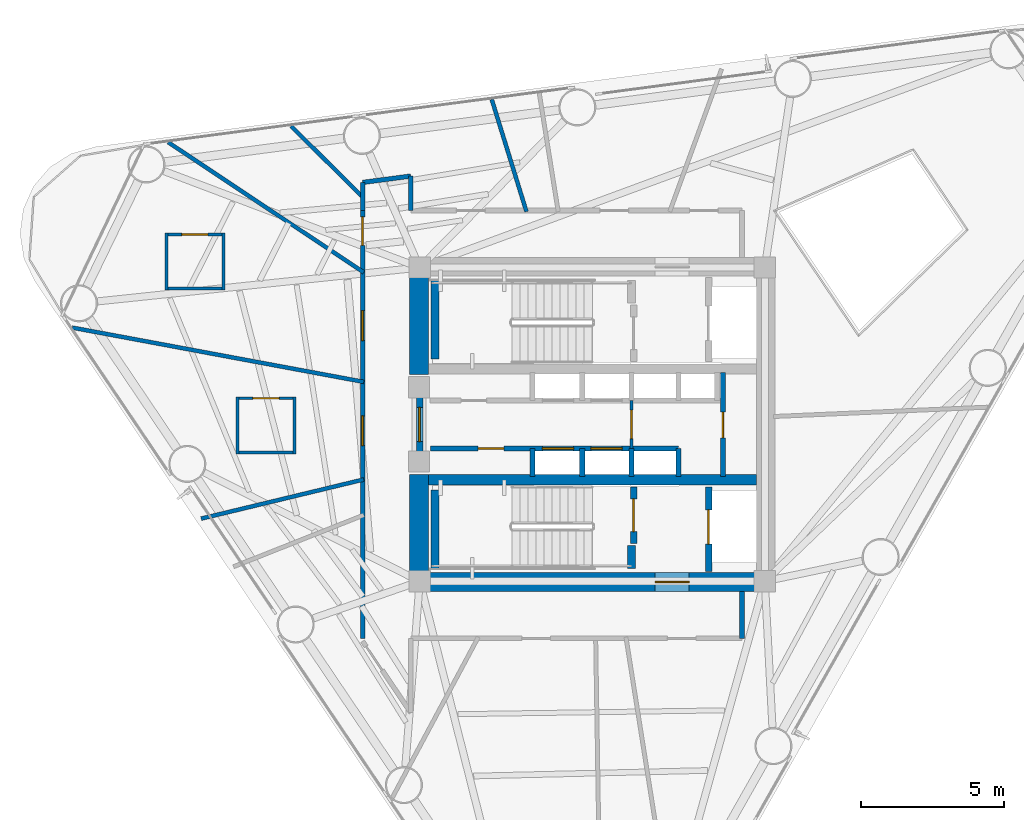
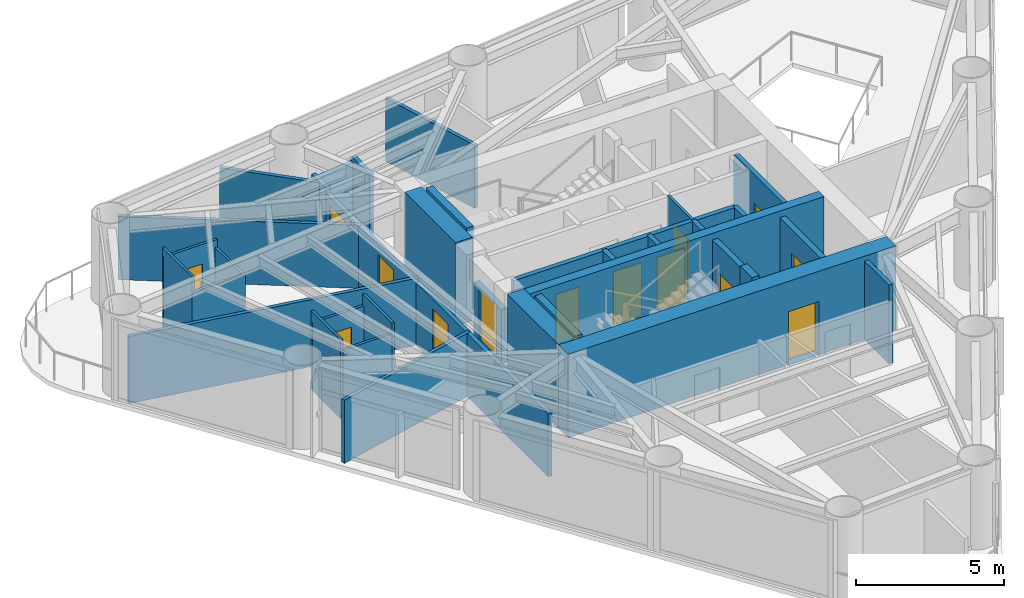
# One storey, part 5 of 9: 35 walls, 14 doors, 14 openings.
"""IFC4 building model written with IfcOpenShell, lengths in metres."""

from ifc_helpers import new_model, si_unit, direction, frame, frame_2d, origin, place, context, subcontext, project, spatial, rectangle, extrude, material, layer, layer_set, type_object, element, fill, save


model = new_model("IFC4")

# Units and contexts
model_context = context("Model", 3, precision=1e-05, world=origin(), true_north=direction((0.0, 1.0)))
body_context = subcontext(model_context, "Body", "Model", "MODEL_VIEW")
ifc_project = project(units=[si_unit("LENGTHUNIT", "METRE"), si_unit("AREAUNIT", "SQUARE_METRE"), si_unit("VOLUMEUNIT", "CUBIC_METRE"), si_unit("PLANEANGLEUNIT", "RADIAN"), si_unit("MASSUNIT", "GRAM", prefix="KILO")], contexts=[model_context])

# Site, building, storey
site_placement = place(None, origin())
site = spatial("IfcSite", under=ifc_project, at=site_placement, CompositionType="ELEMENT")
building_placement = place(site_placement, origin())
building = spatial("IfcBuilding", under=site, at=building_placement, Name="Yunling Apex Tower", CompositionType="ELEMENT")
storey_placement = place(building_placement, frame((0.0, 0.0, 162.199951171875)))
storey = spatial("IfcBuildingStorey", under=building, at=storey_placement, Name="L39", CompositionType="ELEMENT", Elevation=162.199951171875)

# Wall, opening, door
ifc_material_1 = material(Name="Concrete C50", Category="concrete")
ifc_layer_1 = layer(ifc_material_1, 0.64990234375)
ifc_layer_set_1 = layer_set([ifc_layer_1], Name="Concrete C50")
wall_type_1 = type_object("IfcWallType", Name="WL-COR-2", PredefinedType="SHEAR", material=ifc_layer_set_1)
wall_1_placement = place(storey_placement, frame((-6.39990234375, -5.52490234375, 0.0), z_axis=(0.0, 0.0, 1.0), x_axis=(1.0, 0.0, 0.0)))
wall_1 = element("IfcWall", 1, at=wall_1_placement, inside=storey, type_object=wall_type_1, Name="L39 South Core Shear Wall", PredefinedType="SHEAR", context=body_context, shape_type="SweptSolid", body=[
    extrude(rectangle(XDim=12.7998046875, YDim=0.64990234375, at=frame_2d((6.39990234375, 0.0))), origin(), (0.0, 0.0, 1.0), 3.449951171875),
])
opening_1_placement = place(wall_1_placement, frame((8.60009765625, 0.0, 0.0)))
opening_1 = element("IfcOpeningElement", 2, at=opening_1_placement, cuts=wall_1, Name="Opening DR-FFL-1", PredefinedType="OPENING", context=body_context, shape_type="SweptSolid", body=[
    extrude(rectangle(XDim=1.199951171875, YDim=2.199951171875, at=frame_2d((0.60009765625, 1.10009765625))), frame((0.0, 0.3349609375, 0.0), z_axis=(0.0, -1.0, 0.0), x_axis=(1.0, 0.0, 0.0)), (0.0, 0.0, 1.0), 0.669921875),
])
ifc_material_2 = material(Name="Steel Q355B", Category="steel")
door_type_1 = type_object("IfcDoorType", Name="DR-FFL-1", OperationType="NOTDEFINED", PredefinedType="DOOR", material=ifc_material_2)
door_1_placement = place(opening_1_placement, origin())
door_1 = element("IfcDoor", 3, at=door_1_placement, inside=storey, type_object=door_type_1, Name="L39 South Firefighting Lobby Door", OperationType="SINGLE_SWING_RIGHT", OverallHeight=2.199951171875, OverallWidth=1.199951171875, PredefinedType="DOOR", context=body_context, shape_type="SweptSolid", body=[
    extrude(rectangle(XDim=1.199951171875, YDim=2.199951171875, at=frame_2d((0.60009765625, 1.10009765625))), frame((0.0, 0.02490234375, 0.0), z_axis=(0.0, -1.0, 0.0), x_axis=(1.0, 0.0, 0.0)), (0.0, 0.0, 1.0), 0.050048828125),
])
fill(opening_1, door_1)

# Walls
for number, where, z_axis, x_axis, name in (
    (4, (-6.074951171875, -5.199951171875, 0.0), (0.0, 0.0, 1.0), (0.0, 1.0, 0.0), "L39 West-South Core Shear Wall"),
    (5, (-6.074951171875, 1.75, 0.0), (0.0, 0.0, 1.0), (0.0, 1.0, 0.0), "L39 West-North Core Shear Wall"),
):
    element("IfcWall", number, at=place(storey_placement, frame(where, z_axis=z_axis, x_axis=x_axis)), inside=storey, type_object=wall_type_1, Name=name, PredefinedType="SHEAR", context=body_context, shape_type="SweptSolid", body=[
        extrude(rectangle(XDim=3.449951171875, YDim=0.64990234375, at=frame_2d((1.72509765625, 0.0))), origin(), (0.0, 0.0, 1.0), 3.449951171875),
    ])
ifc_material_3 = material(Name="Concrete C40", Category="concrete")
ifc_layer_2 = layer(ifc_material_3, 0.360107421875)
ifc_layer_set_2 = layer_set([ifc_layer_2], Name="Concrete C40")
wall_type_2 = type_object("IfcWallType", Name="WL-COR-4", PredefinedType="SHEAR", material=ifc_layer_set_2)
wall_2_placement = place(storey_placement, frame((-5.75, -1.93994140625, 0.0), z_axis=(0.0, 0.0, 1.0), x_axis=(1.0, 0.0, 0.0)))
element("IfcWall", 6, at=wall_2_placement, inside=storey, type_object=wall_type_2, Name="L39 South Internal Core Shear Wall", PredefinedType="SHEAR", context=body_context, shape_type="SweptSolid", body=[
    extrude(rectangle(XDim=11.5, YDim=0.360107421875, at=frame_2d((5.75, 0.0))), origin(), (0.0, 0.0, 1.0), 3.449951171875),
])
ifc_layer_3 = layer(ifc_material_3, 0.280029296875)
ifc_layer_set_3 = layer_set([ifc_layer_3], Name="Concrete C40")
wall_type_3 = type_object("IfcWallType", Name="WL-COR-8", PredefinedType="SHEAR", material=ifc_layer_set_3)
for number, where, z_axis, x_axis, name in (
    (7, (-5.52001953125, 2.300048828125, 0.0), (0.0, 0.0, 1.0), (0.0, 1.0, 0.0), "L39 ST-1 West Landing Bearing Wall"),
    (8, (-5.52001953125, -5.050048828125, 0.0), (0.0, 0.0, 1.0), (0.0, 1.0, 0.0), "L39 ST-2 West Landing Bearing Wall"),
):
    element("IfcWall", number, at=place(storey_placement, frame(where, z_axis=z_axis, x_axis=x_axis)), inside=storey, type_object=wall_type_3, Name=name, PredefinedType="SHEAR", context=body_context, shape_type="SweptSolid", body=[
        extrude(rectangle(XDim=2.75, YDim=0.280029296875, at=frame_2d((1.375, 0.0))), origin(), (0.0, 0.0, 1.0), 3.449951171875),
    ])
wall_3_placement = place(storey_placement, frame((1.3798828125, -5.050048828125, 0.0), z_axis=(0.0, 0.0, 1.0), x_axis=(0.0, 1.0, 0.0)))
element("IfcWall", 9, at=wall_3_placement, inside=storey, type_object=wall_type_3, Name="L39 ST-2 East Landing Bearing Pier", PredefinedType="SHEAR", context=body_context, shape_type="SweptSolid", body=[
    extrude(rectangle(XDim=0.800048828125, YDim=0.280029296875, at=frame_2d((0.39990234375, 0.0))), origin(), (0.0, 0.0, 1.0), 3.449951171875),
])

# Wall, openings, doors
ifc_material_4 = material(Name="Gypsum board acoustic partition")
ifc_layer_4 = layer(ifc_material_4, 0.159912109375)
ifc_layer_set_4 = layer_set([ifc_layer_4], Name="Gypsum board acoustic partition")
wall_type_4 = type_object("IfcWallType", Name="WL-PRT-1", PredefinedType="PARTITIONING", material=ifc_layer_set_4)
wall_4_placement = place(storey_placement, frame((-8.050048828125, -7.5, 0.0), z_axis=(0.0, 0.0, 1.0), x_axis=(0.0, 1.0, 0.0)))
wall_4 = element("IfcWall", 10, at=wall_4_placement, inside=storey, type_object=wall_type_4, Name="WL-CORR-L39-02", PredefinedType="PARTITIONING", context=body_context, shape_type="SweptSolid", body=[
    extrude(rectangle(XDim=15.0, YDim=0.159912109375, at=frame_2d((7.5, 0.0))), origin(), (0.0, 0.0, 1.0), 2.60498046875),
])
opening_2_placement = place(wall_4_placement, frame((6.7529296875, 0.0, 0.0)))
opening_2 = element("IfcOpeningElement", 11, at=opening_2_placement, cuts=wall_4, Name="Opening DR-FL-1", PredefinedType="OPENING", context=body_context, shape_type="SweptSolid", body=[
    extrude(rectangle(XDim=1.050048828125, YDim=2.199951171875, at=frame_2d((0.52490234375, 1.10009765625))), frame((0.0, 0.08984375, 0.0), z_axis=(0.0, -1.0, 0.0), x_axis=(1.0, 0.0, 0.0)), (0.0, 0.0, 1.0), 0.179931640625),
])
opening_3_placement = place(wall_4_placement, frame((10.436279296875, 0.0, 0.0)))
opening_3 = element("IfcOpeningElement", 12, at=opening_3_placement, cuts=wall_4, Name="Opening DR-FL-1", PredefinedType="OPENING", context=body_context, shape_type="SweptSolid", body=[
    extrude(rectangle(XDim=1.050048828125, YDim=2.199951171875, at=frame_2d((0.52490234375, 1.10009765625))), frame((0.0, 0.08984375, 0.0), z_axis=(0.0, -1.0, 0.0), x_axis=(1.0, 0.0, 0.0)), (0.0, 0.0, 1.0), 0.179931640625),
])
opening_4_placement = place(wall_4_placement, frame((13.780029296875, 0.0, 0.0)))
opening_4 = element("IfcOpeningElement", 13, at=opening_4_placement, cuts=wall_4, Name="Opening DR-OFF-1", PredefinedType="OPENING", context=body_context, shape_type="SweptSolid", body=[
    extrude(rectangle(XDim=1.0, YDim=2.25, at=frame_2d((0.5, 1.125))), frame((0.0, 0.08984375, 0.0), z_axis=(0.0, -1.0, 0.0), x_axis=(1.0, 0.0, 0.0)), (0.0, 0.0, 1.0), 0.179931640625),
])
ifc_material_5 = material(Name="Timber fire-rated leaf", Category="wood")
door_type_2 = type_object("IfcDoorType", Name="DR-FL-1", OperationType="NOTDEFINED", PredefinedType="DOOR", material=ifc_material_5)
door_2_placement = place(opening_2_placement, origin())
door_2 = element("IfcDoor", 14, at=door_2_placement, inside=storey, type_object=door_type_2, Name="L39 Hotel Guest Room Door", OperationType="SINGLE_SWING_RIGHT", OverallHeight=2.199951171875, OverallWidth=1.050048828125, PredefinedType="DOOR", context=body_context, shape_type="SweptSolid", body=[
    extrude(rectangle(XDim=1.050048828125, YDim=2.199951171875, at=frame_2d((0.52490234375, 1.10009765625))), frame((0.0, 0.02490234375, 0.0), z_axis=(0.0, -1.0, 0.0), x_axis=(1.0, 0.0, 0.0)), (0.0, 0.0, 1.0), 0.050048828125),
])
fill(opening_2, door_2)
door_3_placement = place(opening_3_placement, origin())
door_3 = element("IfcDoor", 15, at=door_3_placement, inside=storey, type_object=door_type_2, Name="L39 Hotel Suite Door", OperationType="SINGLE_SWING_LEFT", OverallHeight=2.199951171875, OverallWidth=1.050048828125, PredefinedType="DOOR", context=body_context, shape_type="SweptSolid", body=[
    extrude(rectangle(XDim=1.050048828125, YDim=2.199951171875, at=frame_2d((0.52490234375, 1.10009765625))), frame((0.0, 0.02490234375, 0.0), z_axis=(0.0, -1.0, 0.0), x_axis=(1.0, 0.0, 0.0)), (0.0, 0.0, 1.0), 0.050048828125),
])
fill(opening_3, door_3)
ifc_material_6 = material(Name="Bronze anodised aluminium", Category="aluminium")
door_type_3 = type_object("IfcDoorType", Name="DR-OFF-1", OperationType="NOTDEFINED", PredefinedType="DOOR", material=ifc_material_6)
door_4_placement = place(opening_4_placement, origin())
door_4 = element("IfcDoor", 16, at=door_4_placement, inside=storey, type_object=door_type_3, Name="L39 Club Lounge Door", OperationType="SINGLE_SWING_RIGHT", OverallHeight=2.25, OverallWidth=1.0, PredefinedType="DOOR", context=body_context, shape_type="SweptSolid", body=[
    extrude(rectangle(XDim=1.0, YDim=2.25, at=frame_2d((0.5, 1.125))), frame((0.0, 0.02490234375, 0.0), z_axis=(0.0, -1.0, 0.0), x_axis=(1.0, 0.0, 0.0)), (0.0, 0.0, 1.0), 0.050048828125),
])
fill(opening_4, door_4)

# Walls
wall_5_placement = place(storey_placement, frame((-8.050048828125, 7.5, 0.0), z_axis=(0.0, 0.0, 1.0), x_axis=(0.0, 1.0, 0.0)))
element("IfcWall", 17, at=wall_5_placement, inside=storey, type_object=wall_type_4, Name="WL-CORR-L39-03", PredefinedType="PARTITIONING", context=body_context, shape_type="SweptSolid", body=[
    extrude(rectangle(XDim=0.983642578125, YDim=0.159912109375, at=frame_2d((0.49169921875, 0.0))), origin(), (0.0, 0.0, 1.0), 2.804931640625),
])
wall_6_placement = place(storey_placement, frame((-8.050048828125, 8.483642578125, 0.0), z_axis=(0.0, 0.0, 1.0), x_axis=(0.991338869543, 0.131328769629, 0.0)))
element("IfcWall", 18, at=wall_6_placement, inside=storey, type_object=wall_type_4, Name="WL-CORR-L39-04", PredefinedType="PARTITIONING", context=body_context, shape_type="SweptSolid", body=[
    extrude(rectangle(XDim=1.70458984375, YDim=0.159912109375, at=frame_2d((0.852294921875, 0.0))), origin(), (0.0, 0.0, 1.0), 2.60498046875),
])
wall_7_placement = place(storey_placement, frame((-6.360107421875, 8.70751953125, 0.0), z_axis=(0.0, 0.0, 1.0), x_axis=(0.0, -1.0, 0.0)))
element("IfcWall", 19, at=wall_7_placement, inside=storey, type_object=wall_type_4, Name="WL-CORR-L39-05", PredefinedType="PARTITIONING", context=body_context, shape_type="SweptSolid", body=[
    extrude(rectangle(XDim=1.20751953125, YDim=0.159912109375, at=frame_2d((0.603759765625, 0.0))), origin(), (0.0, 0.0, 1.0), 2.804931640625),
])
wall_8_placement = place(storey_placement, frame((5.25, -5.85009765625, 0.0), z_axis=(0.0, 0.0, 1.0), x_axis=(0.0, -1.0, 0.0)))
element("IfcWall", 20, at=wall_8_placement, inside=storey, type_object=wall_type_4, Name="WL-CORR-L39-08", PredefinedType="PARTITIONING", context=body_context, shape_type="SweptSolid", body=[
    extrude(rectangle(XDim=1.64990234375, YDim=0.159912109375, at=frame_2d((0.824951171875, 0.0))), origin(), (0.0, 0.0, 1.0), 3.25),
])
ifc_layer_5 = layer(ifc_material_4, 0.139892578125)
ifc_layer_set_5 = layer_set([ifc_layer_5], Name="Gypsum board acoustic partition")
wall_type_5 = type_object("IfcWallType", Name="WL-PRT-2", PredefinedType="PARTITIONING", material=ifc_layer_set_5)
wall_9_placement = place(storey_placement, frame((-2.306640625, 7.4599609375, 0.0), z_axis=(0.0, 0.0, 1.0), x_axis=(-0.295406664686, 0.955371604382, 0.0)))
element("IfcWall", 21, at=wall_9_placement, inside=storey, type_object=wall_type_5, Name="WL-RAD-L39-04", PredefinedType="PARTITIONING", context=body_context, shape_type="SweptSolid", body=[
    extrude(rectangle(XDim=4.11669921875, YDim=0.139892578125, at=frame_2d((2.058349609375, 0.0))), origin(), (0.0, 0.0, 1.0), 2.60498046875),
])
wall_10_placement = place(storey_placement, frame((-8.010009765625, 7.93408203125, 0.0), z_axis=(0.0, 0.0, 1.0), x_axis=(-0.710464129117, 0.703733416315, 0.0)))
element("IfcWall", 22, at=wall_10_placement, inside=storey, type_object=wall_type_5, Name="WL-RAD-L39-05", PredefinedType="PARTITIONING", context=body_context, shape_type="SweptSolid", body=[
    extrude(rectangle(XDim=3.591064453125, YDim=0.139892578125, at=frame_2d((1.79541015625, 0.0))), origin(), (0.0, 0.0, 1.0), 2.76513671875),
])
wall_11_placement = place(storey_placement, frame((-8.010009765625, 5.3291015625, 0.0), z_axis=(0.0, 0.0, 1.0), x_axis=(-0.832565256492, 0.553926975044, 0.0)))
element("IfcWall", 23, at=wall_11_placement, inside=storey, type_object=wall_type_5, Name="WL-RAD-L39-06", PredefinedType="PARTITIONING", context=body_context, shape_type="SweptSolid", body=[
    extrude(rectangle(XDim=8.236083984375, YDim=0.139892578125, at=frame_2d((4.1181640625, 0.0))), origin(), (0.0, 0.0, 1.0), 2.60498046875),
])
wall_12_placement = place(storey_placement, frame((-8.010009765625, 1.4912109375, 0.0), z_axis=(0.0, 0.0, 1.0), x_axis=(-0.983113838534, 0.182995028575, 0.0)))
element("IfcWall", 24, at=wall_12_placement, inside=storey, type_object=wall_type_5, Name="WL-RAD-L39-07", PredefinedType="PARTITIONING", context=body_context, shape_type="SweptSolid", body=[
    extrude(rectangle(XDim=10.394287109375, YDim=0.139892578125, at=frame_2d((5.197265625, 0.0))), origin(), (0.0, 0.0, 1.0), 2.76513671875),
])
wall_13_placement = place(storey_placement, frame((-8.010009765625, -1.9296875, 0.0), z_axis=(0.0, 0.0, 1.0), x_axis=(-0.972178712373, -0.23424037058, 0.0)))
element("IfcWall", 25, at=wall_13_placement, inside=storey, type_object=wall_type_5, Name="WL-RAD-L39-08", PredefinedType="PARTITIONING", context=body_context, shape_type="SweptSolid", body=[
    extrude(rectangle(XDim=5.86474609375, YDim=0.139892578125, at=frame_2d((2.932373046875, 0.0))), origin(), (0.0, 0.0, 1.0), 2.60498046875),
])

# Wall, opening, door
ifc_layer_6 = layer(ifc_material_4, 0.10009765625)
ifc_layer_set_6 = layer_set([ifc_layer_6], Name="Gypsum board acoustic partition")
wall_type_6 = type_object("IfcWallType", Name="WL-PRT-4", PredefinedType="PARTITIONING", material=ifc_layer_set_6)
wall_14_placement = place(storey_placement, frame((1.3798828125, -0.840087890625, 0.0), z_axis=(0.0, 0.0, 1.0), x_axis=(0.0, 1.0, 0.0)))
wall_14 = element("IfcWall", 26, at=wall_14_placement, inside=storey, type_object=wall_type_6, Name="WL-LOB-MID-L39", PredefinedType="PARTITIONING", context=body_context, shape_type="SweptSolid", body=[
    extrude(rectangle(XDim=1.68017578125, YDim=0.10009765625, at=frame_2d((0.840087890625, 0.0))), origin(), (0.0, 0.0, 1.0), 3.25),
])
opening_5_placement = place(wall_14_placement, frame((0.340087890625, 0.0, 0.0)))
opening_5 = element("IfcOpeningElement", 27, at=opening_5_placement, cuts=wall_14, Name="Opening DR-OFF-1", PredefinedType="OPENING", context=body_context, shape_type="SweptSolid", body=[
    extrude(rectangle(XDim=1.0, YDim=2.25, at=frame_2d((0.5, 1.125))), frame((0.0, 0.06005859375, 0.0), z_axis=(0.0, -1.0, 0.0), x_axis=(1.0, 0.0, 0.0)), (0.0, 0.0, 1.0), 0.1201171875),
])
door_5_placement = place(opening_5_placement, origin())
door_5 = element("IfcDoor", 28, at=door_5_placement, inside=storey, type_object=door_type_3, Name="L39 Core Lobby Link Door", OperationType="SINGLE_SWING_LEFT", OverallHeight=2.25, OverallWidth=1.0, PredefinedType="DOOR", context=body_context, shape_type="SweptSolid", body=[
    extrude(rectangle(XDim=1.0, YDim=2.25, at=frame_2d((0.5, 1.125))), frame((0.0, 0.02490234375, 0.0), z_axis=(0.0, -1.0, 0.0), x_axis=(1.0, 0.0, 0.0)), (0.0, 0.0, 1.0), 0.050048828125),
])
fill(opening_5, door_5)

wall_15_placement = place(storey_placement, frame((-14.98193359375, 6.6640625, 0.0), z_axis=(0.0, 0.0, 1.0), x_axis=(1.0, 0.0, 0.0)))
wall_15 = element("IfcWall", 29, at=wall_15_placement, inside=storey, type_object=wall_type_6, Name="WL-ENS-L39-11N", PredefinedType="PARTITIONING", context=body_context, shape_type="SweptSolid", body=[
    extrude(rectangle(XDim=2.099853515625, YDim=0.10009765625, at=frame_2d((1.0498046875, 0.0))), origin(), (0.0, 0.0, 1.0), 2.905029296875),
])
opening_6_placement = place(wall_15_placement, frame((0.590087890625, 0.0, 0.0)))
opening_6 = element("IfcOpeningElement", 30, at=opening_6_placement, cuts=wall_15, Name="Opening DR-WC-1", PredefinedType="OPENING", context=body_context, shape_type="SweptSolid", body=[
    extrude(rectangle(XDim=0.919921875, YDim=2.10009765625, at=frame_2d((0.4599609375, 1.050048828125))), frame((0.0, 0.06005859375, 0.0), z_axis=(0.0, -1.0, 0.0), x_axis=(1.0, 0.0, 0.0)), (0.0, 0.0, 1.0), 0.1201171875),
])
ifc_material_7 = material(Name="Timber moisture-resistant leaf", Category="wood")
door_type_4 = type_object("IfcDoorType", Name="DR-WC-1", OperationType="NOTDEFINED", PredefinedType="DOOR", material=ifc_material_7)
door_6_placement = place(opening_6_placement, origin())
door_6 = element("IfcDoor", 31, at=door_6_placement, inside=storey, type_object=door_type_4, Name="L39 En-Suite Door", OperationType="SINGLE_SWING_LEFT", OverallHeight=2.10009765625, OverallWidth=0.919921875, PredefinedType="DOOR", context=body_context, shape_type="SweptSolid", body=[
    extrude(rectangle(XDim=0.919921875, YDim=2.10009765625, at=frame_2d((0.4599609375, 1.050048828125))), frame((0.0, 0.02490234375, 0.0), z_axis=(0.0, -1.0, 0.0), x_axis=(1.0, 0.0, 0.0)), (0.0, 0.0, 1.0), 0.050048828125),
])
fill(opening_6, door_6)

# Walls
wall_16_placement = place(storey_placement, frame((-12.882080078125, 4.763916015625, 0.0), z_axis=(0.0, 0.0, 1.0), x_axis=(-1.0, 0.0, 0.0)))
element("IfcWall", 32, at=wall_16_placement, inside=storey, type_object=wall_type_6, Name="WL-ENS-L39-11S", PredefinedType="PARTITIONING", context=body_context, shape_type="SweptSolid", body=[
    extrude(rectangle(XDim=2.099853515625, YDim=0.10009765625, at=frame_2d((1.0498046875, 0.0))), origin(), (0.0, 0.0, 1.0), 2.60498046875),
])
wall_17_placement = place(storey_placement, frame((-12.931884765625, 6.714111328125, 0.0), z_axis=(0.0, 0.0, 1.0), x_axis=(0.0, -1.0, 0.0)))
element("IfcWall", 33, at=wall_17_placement, inside=storey, type_object=wall_type_6, Name="WL-ENS-L39-11E", PredefinedType="PARTITIONING", context=body_context, shape_type="SweptSolid", body=[
    extrude(rectangle(XDim=2.0, YDim=0.10009765625, at=frame_2d((1.0, 0.0))), origin(), (0.0, 0.0, 1.0), 2.60498046875),
])
wall_18_placement = place(storey_placement, frame((-14.931884765625, 4.714111328125, 0.0), z_axis=(0.0, 0.0, 1.0), x_axis=(0.0, 1.0, 0.0)))
element("IfcWall", 34, at=wall_18_placement, inside=storey, type_object=wall_type_6, Name="WL-ENS-L39-11W", PredefinedType="PARTITIONING", context=body_context, shape_type="SweptSolid", body=[
    extrude(rectangle(XDim=2.0, YDim=0.10009765625, at=frame_2d((1.0, 0.0))), origin(), (0.0, 0.0, 1.0), 3.25),
])

# Wall, opening, door
wall_19_placement = place(storey_placement, frame((-12.491943359375, 0.91796875, 0.0), z_axis=(0.0, 0.0, 1.0), x_axis=(1.0, 0.0, 0.0)))
wall_19 = element("IfcWall", 35, at=wall_19_placement, inside=storey, type_object=wall_type_6, Name="WL-ENS-L39-12N", PredefinedType="PARTITIONING", context=body_context, shape_type="SweptSolid", body=[
    extrude(rectangle(XDim=2.099853515625, YDim=0.10009765625, at=frame_2d((1.0498046875, 0.0))), origin(), (0.0, 0.0, 1.0), 2.804931640625),
])
opening_7_placement = place(wall_19_placement, frame((0.590087890625, 0.0, 0.0)))
opening_7 = element("IfcOpeningElement", 36, at=opening_7_placement, cuts=wall_19, Name="Opening DR-WC-1", PredefinedType="OPENING", context=body_context, shape_type="SweptSolid", body=[
    extrude(rectangle(XDim=0.919921875, YDim=2.10009765625, at=frame_2d((0.4599609375, 1.050048828125))), frame((0.0, 0.06005859375, 0.0), z_axis=(0.0, -1.0, 0.0), x_axis=(1.0, 0.0, 0.0)), (0.0, 0.0, 1.0), 0.1201171875),
])
door_7_placement = place(opening_7_placement, origin())
door_7 = element("IfcDoor", 37, at=door_7_placement, inside=storey, type_object=door_type_4, Name="L39 En-Suite Door", OperationType="SINGLE_SWING_RIGHT", OverallHeight=2.10009765625, OverallWidth=0.919921875, PredefinedType="DOOR", context=body_context, shape_type="SweptSolid", body=[
    extrude(rectangle(XDim=0.919921875, YDim=2.10009765625, at=frame_2d((0.4599609375, 1.050048828125))), frame((0.0, 0.02490234375, 0.0), z_axis=(0.0, -1.0, 0.0), x_axis=(1.0, 0.0, 0.0)), (0.0, 0.0, 1.0), 0.050048828125),
])
fill(opening_7, door_7)

# Walls
wall_20_placement = place(storey_placement, frame((-10.39208984375, -0.98193359375, 0.0), z_axis=(0.0, 0.0, 1.0), x_axis=(-1.0, 0.0, 0.0)))
element("IfcWall", 38, at=wall_20_placement, inside=storey, type_object=wall_type_6, Name="WL-ENS-L39-12S", PredefinedType="PARTITIONING", context=body_context, shape_type="SweptSolid", body=[
    extrude(rectangle(XDim=2.099853515625, YDim=0.10009765625, at=frame_2d((1.0498046875, 0.0))), origin(), (0.0, 0.0, 1.0), 2.804931640625),
])
for number, where, z_axis, x_axis, name in (
    (39, (-10.44189453125, 0.968017578125, 0.0), (0.0, 0.0, 1.0), (0.0, -1.0, 0.0), "WL-ENS-L39-12E"),
    (40, (-12.44189453125, -1.031982421875, 0.0), (0.0, 0.0, 1.0), (0.0, 1.0, 0.0), "WL-ENS-L39-12W"),
):
    element("IfcWall", number, at=place(storey_placement, frame(where, z_axis=z_axis, x_axis=x_axis)), inside=storey, type_object=wall_type_6, Name=name, PredefinedType="PARTITIONING", context=body_context, shape_type="SweptSolid", body=[
        extrude(rectangle(XDim=2.0, YDim=0.10009765625, at=frame_2d((1.0, 0.0))), origin(), (0.0, 0.0, 1.0), 3.25),
    ])

# Wall, opening, door
ifc_material_8 = material(Name="Autoclaved aerated concrete masonry", Category="masonry")
ifc_layer_7 = layer(ifc_material_8, 0.219970703125)
ifc_layer_set_7 = layer_set([ifc_layer_7], Name="Autoclaved aerated concrete masonry")
wall_type_7 = type_object("IfcWallType", Name="WL-SHF-1", PredefinedType="PLUMBINGWALL", material=ifc_layer_set_7)
wall_21_placement = place(storey_placement, frame((-6.050048828125, -0.949951171875, 0.0), z_axis=(0.0, 0.0, 1.0), x_axis=(0.0, 1.0, 0.0)))
wall_21 = element("IfcWall", 41, at=wall_21_placement, inside=storey, type_object=wall_type_7, Name="WL-COR-WPORT-L39", PredefinedType="PLUMBINGWALL", context=body_context, shape_type="SweptSolid", body=[
    extrude(rectangle(XDim=1.89990234375, YDim=0.219970703125, at=frame_2d((0.949951171875, 0.0))), origin(), (0.0, 0.0, 1.0), 2.22998046875),
])
opening_8_placement = place(wall_21_placement, frame((0.35009765625, 0.0, 0.0)))
opening_8 = element("IfcOpeningElement", 42, at=opening_8_placement, cuts=wall_21, Name="Opening DR-FFL-1", PredefinedType="OPENING", context=body_context, shape_type="SweptSolid", body=[
    extrude(rectangle(XDim=1.199951171875, YDim=2.199951171875, at=frame_2d((0.60009765625, 1.10009765625))), frame((0.0, 0.1201171875, 0.0), z_axis=(0.0, -1.0, 0.0), x_axis=(1.0, 0.0, 0.0)), (0.0, 0.0, 1.0), 0.239990234375),
])
door_8_placement = place(opening_8_placement, origin())
door_8 = element("IfcDoor", 43, at=door_8_placement, inside=storey, type_object=door_type_1, Name="L39 Passenger Lift Lobby Entrance Door", OperationType="SINGLE_SWING_LEFT", OverallHeight=2.199951171875, OverallWidth=1.199951171875, PredefinedType="DOOR", context=body_context, shape_type="SweptSolid", body=[
    extrude(rectangle(XDim=1.199951171875, YDim=2.199951171875, at=frame_2d((0.60009765625, 1.10009765625))), frame((0.0, 0.02490234375, 0.0), z_axis=(0.0, -1.0, 0.0), x_axis=(1.0, 0.0, 0.0)), (0.0, 0.0, 1.0), 0.050048828125),
])
fill(opening_8, door_8)

wall_22_placement = place(storey_placement, frame((1.449951171875, -4.179931640625, 0.0), z_axis=(0.0, 0.0, 1.0), x_axis=(0.0, 1.0, 0.0)))
wall_22 = element("IfcWall", 44, at=wall_22_placement, inside=storey, type_object=wall_type_7, Name="WL-ST2-E-L39", PredefinedType="PLUMBINGWALL", context=body_context, shape_type="SweptSolid", body=[
    extrude(rectangle(XDim=1.97998046875, YDim=0.219970703125, at=frame_2d((0.989990234375, 0.0))), origin(), (0.0, 0.0, 1.0), 3.25),
])
opening_9_placement = place(wall_22_placement, frame((0.419921875, 0.0, 0.0)))
opening_9 = element("IfcOpeningElement", 45, at=opening_9_placement, cuts=wall_22, Name="Opening DR-ST-1", PredefinedType="OPENING", context=body_context, shape_type="SweptSolid", body=[
    extrude(rectangle(XDim=1.14990234375, YDim=2.14990234375, at=frame_2d((0.574951171875, 1.074951171875))), frame((0.0, 0.1201171875, 0.0), z_axis=(0.0, -1.0, 0.0), x_axis=(1.0, 0.0, 0.0)), (0.0, 0.0, 1.0), 0.239990234375),
])
door_type_5 = type_object("IfcDoorType", Name="DR-ST-1", OperationType="NOTDEFINED", PredefinedType="DOOR", material=ifc_material_2)
door_9_placement = place(opening_9_placement, origin())
door_9 = element("IfcDoor", 46, at=door_9_placement, inside=storey, type_object=door_type_5, Name="L39 Stair ST-2 Fire Door", OperationType="SINGLE_SWING_RIGHT", OverallHeight=2.14990234375, OverallWidth=1.14990234375, PredefinedType="DOOR", context=body_context, shape_type="SweptSolid", body=[
    extrude(rectangle(XDim=1.14990234375, YDim=2.14990234375, at=frame_2d((0.574951171875, 1.074951171875))), frame((0.0, 0.02490234375, 0.0), z_axis=(0.0, -1.0, 0.0), x_axis=(1.0, 0.0, 0.0)), (0.0, 0.0, 1.0), 0.050048828125),
])
fill(opening_9, door_9)

wall_23_placement = place(storey_placement, frame((4.080078125, -5.14990234375, 0.0), z_axis=(0.0, 0.0, 1.0), x_axis=(0.0, 1.0, 0.0)))
wall_23 = element("IfcWall", 47, at=wall_23_placement, inside=storey, type_object=wall_type_7, Name="WL-FFL2-W-L39", PredefinedType="PLUMBINGWALL", context=body_context, shape_type="SweptSolid", body=[
    extrude(rectangle(XDim=2.949951171875, YDim=0.219970703125, at=frame_2d((1.47509765625, 0.0))), origin(), (0.0, 0.0, 1.0), 3.25),
])
opening_10_placement = place(wall_23_placement, frame((0.949951171875, 0.0, 0.0)))
opening_10 = element("IfcOpeningElement", 48, at=opening_10_placement, cuts=wall_23, Name="Opening LD-FFL-1", PredefinedType="OPENING", context=body_context, shape_type="SweptSolid", body=[
    extrude(rectangle(XDim=1.199951171875, YDim=2.25, at=frame_2d((0.60009765625, 1.125))), frame((0.0, 0.1201171875, 0.0), z_axis=(0.0, -1.0, 0.0), x_axis=(1.0, 0.0, 0.0)), (0.0, 0.0, 1.0), 0.239990234375),
])
door_type_6 = type_object("IfcDoorType", Name="LD-FFL-1", OperationType="DOUBLE_DOOR_SLIDING", PredefinedType="DOOR", material=ifc_material_2)
door_10_placement = place(opening_10_placement, origin())
door_10 = element("IfcDoor", 49, at=door_10_placement, inside=storey, type_object=door_type_6, Name="L39 Lift FFL-2 Landing Door", OperationType="DOUBLE_DOOR_SLIDING", OverallHeight=2.25, OverallWidth=1.199951171875, PredefinedType="DOOR", context=body_context, shape_type="SweptSolid", body=[
    extrude(rectangle(XDim=1.199951171875, YDim=2.25, at=frame_2d((0.60009765625, 1.125))), frame((0.0, 0.02490234375, 0.0), z_axis=(0.0, -1.0, 0.0), x_axis=(1.0, 0.0, 0.0)), (0.0, 0.0, 1.0), 0.050048828125),
])
fill(opening_10, door_10)

# Walls
ifc_layer_8 = layer(ifc_material_8, 0.179931640625)
ifc_layer_set_8 = layer_set([ifc_layer_8], Name="Autoclaved aerated concrete masonry")
wall_type_8 = type_object("IfcWallType", Name="WL-SHF-2", PredefinedType="PLUMBINGWALL", material=ifc_layer_set_8)
for number, where, z_axis, x_axis, name in (
    (50, (-2.10009765625, -1.820068359375, 0.0), (0.0, 0.0, 1.0), (0.0, 1.0, 0.0), "WL-BNK-LM-S-L39"),
    (51, (-0.35009765625, -1.820068359375, 0.0), (0.0, 0.0, 1.0), (0.0, 1.0, 0.0), "WL-DIV-M34-L39"),
    (52, (1.3798828125, -1.820068359375, 0.0), (0.0, 0.0, 1.0), (0.0, 1.0, 0.0), "WL-BNK-MH-S-L39"),
    (53, (3.02001953125, -1.820068359375, 0.0), (0.0, 0.0, 1.0), (0.0, 1.0, 0.0), "WL-END-H2E-L39"),
):
    element("IfcWall", number, at=place(storey_placement, frame(where, z_axis=z_axis, x_axis=x_axis)), inside=storey, type_object=wall_type_8, Name=name, PredefinedType="PLUMBINGWALL", context=body_context, shape_type="SweptSolid", body=[
        extrude(rectangle(XDim=0.97998046875, YDim=0.179931640625, at=frame_2d((0.489990234375, 0.0))), origin(), (0.0, 0.0, 1.0), 3.25),
    ])

# Wall, opening, door
wall_24_placement = place(storey_placement, frame((4.580078125, -1.820068359375, 0.0), z_axis=(0.0, 0.0, 1.0), x_axis=(0.0, 1.0, 0.0)))
wall_24 = element("IfcWall", 54, at=wall_24_placement, inside=storey, type_object=wall_type_8, Name="WL-KBE-W-L39", PredefinedType="PLUMBINGWALL", context=body_context, shape_type="SweptSolid", body=[
    extrude(rectangle(XDim=3.64013671875, YDim=0.179931640625, at=frame_2d((1.820068359375, 0.0))), origin(), (0.0, 0.0, 1.0), 3.25),
])
opening_11_placement = place(wall_24_placement, frame((1.35009765625, 0.0, 0.0)))
opening_11 = element("IfcOpeningElement", 55, at=opening_11_placement, cuts=wall_24, Name="Opening DR-SHF-1", PredefinedType="OPENING", context=body_context, shape_type="SweptSolid", body=[
    extrude(rectangle(XDim=0.89990234375, YDim=2.050048828125, at=frame_2d((0.449951171875, 1.02490234375))), frame((0.0, 0.10009765625, 0.0), z_axis=(0.0, -1.0, 0.0), x_axis=(1.0, 0.0, 0.0)), (0.0, 0.0, 1.0), 0.199951171875),
])
door_type_7 = type_object("IfcDoorType", Name="DR-SHF-1", OperationType="NOTDEFINED", PredefinedType="DOOR", material=ifc_material_2)
door_11_placement = place(opening_11_placement, origin())
door_11 = element("IfcDoor", 56, at=door_11_placement, inside=storey, type_object=door_type_7, Name="L39 Core Meter Room Door", OperationType="SINGLE_SWING_RIGHT", OverallHeight=2.050048828125, OverallWidth=0.89990234375, PredefinedType="DOOR", context=body_context, shape_type="SweptSolid", body=[
    extrude(rectangle(XDim=0.89990234375, YDim=2.050048828125, at=frame_2d((0.449951171875, 1.02490234375))), frame((0.0, 0.02490234375, 0.0), z_axis=(0.0, -1.0, 0.0), x_axis=(1.0, 0.0, 0.0)), (0.0, 0.0, 1.0), 0.050048828125),
])
fill(opening_11, door_11)

# Wall, openings, doors
wall_25_placement = place(storey_placement, frame((-5.679931640625, -0.840087890625, 0.0), z_axis=(0.0, 0.0, 1.0), x_axis=(1.0, 0.0, 0.0)))
wall_25 = element("IfcWall", 57, at=wall_25_placement, inside=storey, type_object=wall_type_8, Name="WL-LOB-S-L39", PredefinedType="PLUMBINGWALL", context=body_context, shape_type="SweptSolid", body=[
    extrude(rectangle(XDim=8.699951171875, YDim=0.179931640625, at=frame_2d((4.35009765625, 0.0))), origin(), (0.0, 0.0, 1.0), 3.25),
])
opening_12_placement = place(wall_25_placement, frame((1.679931640625, 0.0, 0.0)))
opening_12 = element("IfcOpeningElement", 58, at=opening_12_placement, cuts=wall_25, Name="Opening DR-SHF-1", PredefinedType="OPENING", context=body_context, shape_type="SweptSolid", body=[
    extrude(rectangle(XDim=0.89990234375, YDim=2.050048828125, at=frame_2d((0.449951171875, 1.02490234375))), frame((0.0, 0.10009765625, 0.0), z_axis=(0.0, -1.0, 0.0), x_axis=(1.0, 0.0, 0.0)), (0.0, 0.0, 1.0), 0.199951171875),
])
opening_13_placement = place(wall_25_placement, frame((3.929931640625, 0.0, 0.0)))
opening_13 = element("IfcOpeningElement", 59, at=opening_13_placement, cuts=wall_25, Name="Opening LD-PAS-1", PredefinedType="OPENING", context=body_context, shape_type="SweptSolid", body=[
    extrude(rectangle(XDim=1.10009765625, YDim=2.199951171875, at=frame_2d((0.550048828125, 1.10009765625))), frame((0.0, 0.10009765625, 0.0), z_axis=(0.0, -1.0, 0.0), x_axis=(1.0, 0.0, 0.0)), (0.0, 0.0, 1.0), 0.199951171875),
])
opening_14_placement = place(wall_25_placement, frame((5.6298828125, 0.0, 0.0)))
opening_14 = element("IfcOpeningElement", 60, at=opening_14_placement, cuts=wall_25, Name="Opening LD-PAS-1", PredefinedType="OPENING", context=body_context, shape_type="SweptSolid", body=[
    extrude(rectangle(XDim=1.10009765625, YDim=2.199951171875, at=frame_2d((0.550048828125, 1.10009765625))), frame((0.0, 0.10009765625, 0.0), z_axis=(0.0, -1.0, 0.0), x_axis=(1.0, 0.0, 0.0)), (0.0, 0.0, 1.0), 0.199951171875),
])
door_12_placement = place(opening_12_placement, origin())
door_12 = element("IfcDoor", 61, at=door_12_placement, inside=storey, type_object=door_type_7, Name="L39 Supply Store Door", OperationType="SINGLE_SWING_RIGHT", OverallHeight=2.050048828125, OverallWidth=0.89990234375, PredefinedType="DOOR", context=body_context, shape_type="SweptSolid", body=[
    extrude(rectangle(XDim=0.89990234375, YDim=2.050048828125, at=frame_2d((0.449951171875, 1.02490234375))), frame((0.0, 0.02490234375, 0.0), z_axis=(0.0, -1.0, 0.0), x_axis=(1.0, 0.0, 0.0)), (0.0, 0.0, 1.0), 0.050048828125),
])
fill(opening_12, door_12)
ifc_material_9 = material(Name="Silver anodised aluminium", Category="aluminium")
door_type_8 = type_object("IfcDoorType", Name="LD-PAS-1", OperationType="DOUBLE_DOOR_SLIDING", PredefinedType="DOOR", material=ifc_material_9)
door_13_placement = place(opening_13_placement, origin())
door_13 = element("IfcDoor", 62, at=door_13_placement, inside=storey, type_object=door_type_8, Name="L39 Lift PL-M3 Landing Door", OperationType="DOUBLE_DOOR_SLIDING", OverallHeight=2.199951171875, OverallWidth=1.10009765625, PredefinedType="DOOR", context=body_context, shape_type="SweptSolid", body=[
    extrude(rectangle(XDim=1.10009765625, YDim=2.199951171875, at=frame_2d((0.550048828125, 1.10009765625))), frame((0.0, 0.02490234375, 0.0), z_axis=(0.0, -1.0, 0.0), x_axis=(1.0, 0.0, 0.0)), (0.0, 0.0, 1.0), 0.050048828125),
])
fill(opening_13, door_13)
door_14_placement = place(opening_14_placement, origin())
door_14 = element("IfcDoor", 63, at=door_14_placement, inside=storey, type_object=door_type_8, Name="L39 Lift PL-M4 Landing Door", OperationType="DOUBLE_DOOR_SLIDING", OverallHeight=2.199951171875, OverallWidth=1.10009765625, PredefinedType="DOOR", context=body_context, shape_type="SweptSolid", body=[
    extrude(rectangle(XDim=1.10009765625, YDim=2.199951171875, at=frame_2d((0.550048828125, 1.10009765625))), frame((0.0, 0.02490234375, 0.0), z_axis=(0.0, -1.0, 0.0), x_axis=(1.0, 0.0, 0.0)), (0.0, 0.0, 1.0), 0.050048828125),
])
fill(opening_14, door_14)

save(model, "model.ifc")
